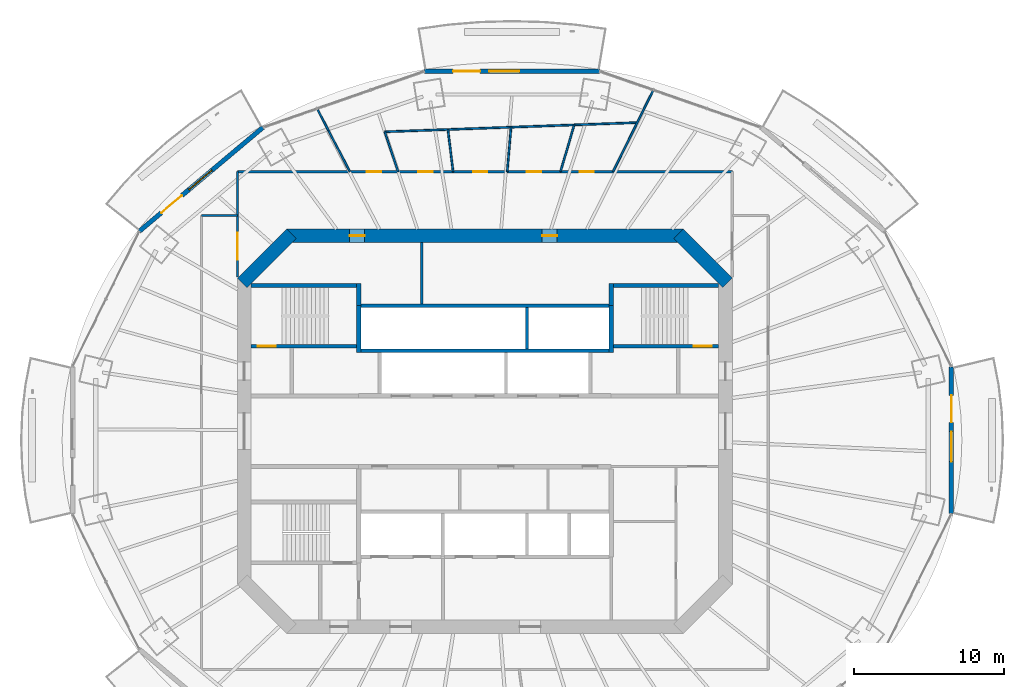
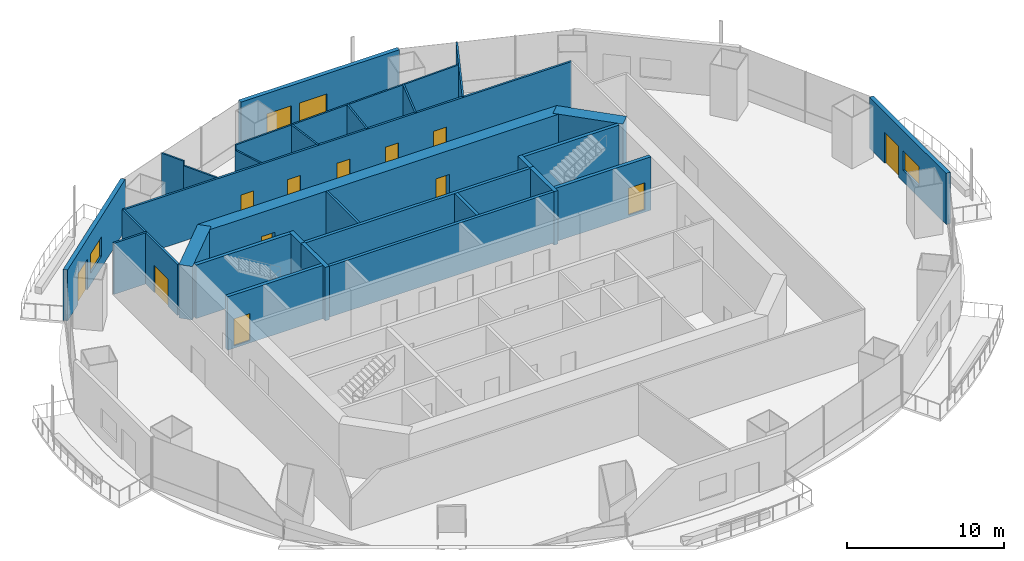
# One storey, part 12 of 19: 29 walls, 13 doors, 3 windows, 16 openings.
"""IFC4 building model written with IfcOpenShell, lengths in metres."""

from ifc_helpers import new_model, si_unit, direction, frame, frame_2d, origin, place, context, subcontext, project, spatial, rectangle, extrude, material, layer, layer_set, type_object, element, fill, save


model = new_model("IFC4")

# Units and contexts
model_context = context("Model", 3, precision=1e-05, world=origin(), true_north=direction((0.0, 1.0)))
body_context = subcontext(model_context, "Body", "Model", "MODEL_VIEW")
ifc_project = project(units=[si_unit("LENGTHUNIT", "METRE"), si_unit("AREAUNIT", "SQUARE_METRE"), si_unit("VOLUMEUNIT", "CUBIC_METRE"), si_unit("PLANEANGLEUNIT", "RADIAN"), si_unit("MASSUNIT", "GRAM", prefix="KILO")], contexts=[model_context])

# Site, building, storey
site_placement = place(None, origin())
site = spatial("IfcSite", under=ifc_project, at=site_placement, CompositionType="ELEMENT")
building_placement = place(site_placement, origin())
building = spatial("IfcBuilding", under=site, at=building_placement, Name="Marenthal Gate Tower", CompositionType="ELEMENT")
storey_placement = place(building_placement, frame((0.0, 0.0, 252.35009765625)))
storey = spatial("IfcBuildingStorey", under=building, at=storey_placement, Name="L56", CompositionType="ELEMENT", Elevation=252.35009765625)

# Wall
ifc_material_1 = material(Name="Concrete 60 MPa", Category="concrete")
ifc_layer_1 = layer(ifc_material_1, 0.89990234375)
ifc_layer_set_1 = layer_set([ifc_layer_1], Name="Core shear wall 900")
wall_type_1 = type_object("IfcWallType", Name="Core shear wall 900", PredefinedType="SHEAR", material=ifc_layer_set_1)
wall_1_placement = place(storey_placement, frame((16.1318359375, 9.8681640625, -0.18017578125), z_axis=(0.0, 0.0, 1.0), x_axis=(-0.707106781187, 0.707106781187, 0.0)))
element("IfcWall", 1, at=wall_1_placement, inside=storey, type_object=wall_type_1, Name="Core wall 03", PredefinedType="SHEAR", context=body_context, shape_type="SweptSolid", body=[
    extrude(rectangle(XDim=4.615478515625, YDim=0.89990234375, at=frame_2d((2.3076171875, 0.0))), origin(), (0.0, 0.0, 1.0), 4.150146484375),
])

# Wall, openings, doors
wall_2_placement = place(storey_placement, frame((13.186279296875, 13.0, -0.18017578125), z_axis=(0.0, 0.0, 1.0), x_axis=(-1.0, 0.0, 0.0)))
wall_2 = element("IfcWall", 2, at=wall_2_placement, inside=storey, type_object=wall_type_1, Name="Core wall 04", PredefinedType="SHEAR", context=body_context, shape_type="SweptSolid", body=[
    extrude(rectangle(XDim=26.37255859375, YDim=0.89990234375, at=frame_2d((13.186279296875, 0.0))), origin(), (0.0, 0.0, 1.0), 4.150146484375),
])
opening_1_placement = place(wall_2_placement, frame((21.193359375, 0.0, 0.179931640625)))
opening_1 = element("IfcOpeningElement", 3, at=opening_1_placement, cuts=wall_2, Name="Opening D005.04", PredefinedType="OPENING", context=body_context, shape_type="SweptSolid", body=[
    extrude(rectangle(XDim=1.0, YDim=2.10009765625, at=frame_2d((0.5, 1.050048828125))), frame((0.0, 0.4599609375, 0.0), z_axis=(0.0, -1.0, 0.0), x_axis=(1.0, 0.0, 0.0)), (0.0, 0.0, 1.0), 0.919921875),
])
opening_2_placement = place(wall_2_placement, frame((8.37939453125, 0.0, 0.179931640625)))
opening_2 = element("IfcOpeningElement", 4, at=opening_2_placement, cuts=wall_2, Name="Opening D005.05", PredefinedType="OPENING", context=body_context, shape_type="SweptSolid", body=[
    extrude(rectangle(XDim=1.0, YDim=2.10009765625, at=frame_2d((0.5, 1.050048828125))), frame((0.0, 0.4599609375, 0.0), z_axis=(0.0, -1.0, 0.0), x_axis=(1.0, 0.0, 0.0)), (0.0, 0.0, 1.0), 0.919921875),
])
ifc_material_2 = material(Name="Steel fire door", Category="steel")
door_type_1 = type_object("IfcDoorType", Name="Fire door FD 45 1000 x 2100", OperationType="NOTDEFINED", PredefinedType="DOOR", material=ifc_material_2)
door_1_placement = place(opening_1_placement, origin())
door_1 = element("IfcDoor", 5, at=door_1_placement, inside=storey, type_object=door_type_1, Name="Door D005.04", OperationType="SINGLE_SWING_RIGHT", OverallHeight=2.10009765625, OverallWidth=1.0, PredefinedType="DOOR", context=body_context, shape_type="SweptSolid", body=[
    extrude(rectangle(XDim=1.0, YDim=2.10009765625, at=frame_2d((0.5, 1.050048828125))), frame((0.0, 0.02490234375, 0.0), z_axis=(0.0, -1.0, 0.0), x_axis=(1.0, 0.0, 0.0)), (0.0, 0.0, 1.0), 0.050048828125),
])
fill(opening_1, door_1)
door_2_placement = place(opening_2_placement, origin())
door_2 = element("IfcDoor", 6, at=door_2_placement, inside=storey, type_object=door_type_1, Name="Door D005.05", OperationType="SINGLE_SWING_RIGHT", OverallHeight=2.10009765625, OverallWidth=1.0, PredefinedType="DOOR", context=body_context, shape_type="SweptSolid", body=[
    extrude(rectangle(XDim=1.0, YDim=2.10009765625, at=frame_2d((0.5, 1.050048828125))), frame((0.0, 0.02490234375, 0.0), z_axis=(0.0, -1.0, 0.0), x_axis=(1.0, 0.0, 0.0)), (0.0, 0.0, 1.0), 0.050048828125),
])
fill(opening_2, door_2)

# Walls
wall_3_placement = place(storey_placement, frame((-12.8681640625, 13.1318359375, -0.18017578125), z_axis=(0.0, 0.0, 1.0), x_axis=(-0.707106781187, -0.707106781187, 0.0)))
element("IfcWall", 7, at=wall_3_placement, inside=storey, type_object=wall_type_1, Name="Core wall 05", PredefinedType="SHEAR", context=body_context, shape_type="SweptSolid", body=[
    extrude(rectangle(XDim=4.615478515625, YDim=0.89990234375, at=frame_2d((2.3076171875, 0.0))), origin(), (0.0, 0.0, 1.0), 4.150146484375),
])
ifc_material_3 = material(Name="Concrete 50 MPa", Category="concrete")
ifc_layer_2 = layer(ifc_material_3, 0.300048828125)
ifc_layer_set_2 = layer_set([ifc_layer_2], Name="Hoistway shear wall 300")
wall_type_2 = type_object("IfcWallType", Name="Hoistway shear wall 300", PredefinedType="SHEAR", material=ifc_layer_set_2)
for number, where, z_axis, x_axis, name in (
    (8, (-8.39990234375, 5.239990234375, -0.18017578125), (0.0, 0.0, 1.0), (0.0, 1.0, 0.0), "Hoistway wall 31"),
    (9, (8.39990234375, 5.239990234375, -0.18017578125), (0.0, 0.0, 1.0), (0.0, 1.0, 0.0), "Hoistway wall 46"),
):
    element("IfcWall", number, at=place(storey_placement, frame(where, z_axis=z_axis, x_axis=x_axis)), inside=storey, type_object=wall_type_2, Name=name, PredefinedType="SHEAR", context=body_context, shape_type="SweptSolid", body=[
        extrude(rectangle(XDim=3.110107421875, YDim=0.300048828125, at=frame_2d((1.55517578125, 0.0))), origin(), (0.0, 0.0, 1.0), 4.150146484375),
    ])
ifc_material_4 = material(Name="Concrete 40 MPa", Category="concrete")
ifc_layer_3 = layer(ifc_material_4, 0.219970703125)
ifc_layer_set_3 = layer_set([ifc_layer_3], Name="Hoistway wall 220")
wall_type_3 = type_object("IfcWallType", Name="Hoistway wall 220", PredefinedType="STANDARD", material=ifc_layer_set_3)
for number, where, z_axis, x_axis, name in (
    (10, (-8.25, 5.35009765625, 0.0), (0.0, 0.0, 1.0), (1.0, 0.0, 0.0), "Hoistway wall 21"),
    (11, (-8.25, 8.35009765625, 0.0), (0.0, 0.0, 1.0), (1.0, 0.0, 0.0), "Hoistway wall 24"),
):
    element("IfcWall", number, at=place(storey_placement, frame(where, z_axis=z_axis, x_axis=x_axis)), inside=storey, type_object=wall_type_3, Name=name, PredefinedType="STANDARD", context=body_context, shape_type="SweptSolid", body=[
        extrude(rectangle(XDim=16.5, YDim=0.219970703125, at=frame_2d((8.25, 0.0))), origin(), (0.0, 0.0, 1.0), 3.969970703125),
    ])
wall_4_placement = place(storey_placement, frame((2.800048828125, 5.4599609375, 0.0), z_axis=(0.0, 0.0, 1.0), x_axis=(0.0, 1.0, 0.0)))
element("IfcWall", 12, at=wall_4_placement, inside=storey, type_object=wall_type_3, Name="Hoistway wall 40", PredefinedType="STANDARD", context=body_context, shape_type="SweptSolid", body=[
    extrude(rectangle(XDim=2.780029296875, YDim=0.219970703125, at=frame_2d((1.39013671875, 0.0))), origin(), (0.0, 0.0, 1.0), 3.969970703125),
])
ifc_material_5 = material(Name="Gypsum board on steel studs", Category="steel")
ifc_layer_4 = layer(ifc_material_5, 0.1201171875)
ifc_layer_set_4 = layer_set([ifc_layer_4], Name="Partition 120")
wall_type_4 = type_object("IfcWallType", Name="Partition 120", PredefinedType="PARTITIONING", material=ifc_layer_set_4)
wall_5_placement = place(storey_placement, frame((-8.983642578125, 17.267333984375, 0.0), z_axis=(0.0, 0.0, 1.0), x_axis=(-0.461490331018, 0.887145238604, 0.0)))
element("IfcWall", 13, at=wall_5_placement, inside=storey, type_object=wall_type_4, Name="Partition wall 54", PredefinedType="PARTITIONING", context=body_context, shape_type="SweptSolid", body=[
    extrude(rectangle(XDim=3.072509765625, YDim=0.1201171875, at=frame_2d((1.5361328125, 0.0))), origin(), (0.0, 0.0, 1.0), 3.616943359375),
])
wall_6_placement = place(storey_placement, frame((-10.401611328125, 19.9931640625, 0.0), z_axis=(0.0, 0.0, 1.0), x_axis=(-0.461524233579, 0.887127601769, 0.0)))
element("IfcWall", 14, at=wall_6_placement, inside=storey, type_object=wall_type_4, Name="Partition wall 66", PredefinedType="PARTITIONING", context=body_context, shape_type="SweptSolid", body=[
    extrude(rectangle(XDim=1.658447265625, YDim=0.1201171875, at=frame_2d((0.8291015625, 0.0))), origin(), (0.0, 0.0, 1.0), 3.969970703125),
])
wall_7_placement = place(storey_placement, frame((-6.659912109375, 19.917724609375, 0.0), z_axis=(0.0, 0.0, 1.0), x_axis=(0.317118703872, -0.948385853783, 0.0)))
element("IfcWall", 15, at=wall_7_placement, inside=storey, type_object=wall_type_4, Name="Partition wall 55", PredefinedType="PARTITIONING", context=body_context, shape_type="SweptSolid", body=[
    extrude(rectangle(XDim=2.794677734375, YDim=0.1201171875, at=frame_2d((1.3974609375, 0.0))), origin(), (0.0, 0.0, 1.0), 3.552978515625),
])
wall_8_placement = place(storey_placement, frame((-2.4619140625, 20.07080078125, 0.0), z_axis=(0.0, 0.0, 1.0), x_axis=(0.121704558914, -0.992566370748, 0.0)))
element("IfcWall", 16, at=wall_8_placement, inside=storey, type_object=wall_type_4, Name="Partition wall 56", PredefinedType="PARTITIONING", context=body_context, shape_type="SweptSolid", body=[
    extrude(rectangle(XDim=2.824462890625, YDim=0.1201171875, at=frame_2d((1.412109375, 0.0))), origin(), (0.0, 0.0, 1.0), 3.969970703125),
])
wall_9_placement = place(storey_placement, frame((1.73583984375, 20.223388671875, 0.0), z_axis=(0.0, 0.0, 1.0), x_axis=(-0.08549683198, -0.996338442359, 0.0)))
element("IfcWall", 17, at=wall_9_placement, inside=storey, type_object=wall_type_4, Name="Partition wall 57", PredefinedType="PARTITIONING", context=body_context, shape_type="SweptSolid", body=[
    extrude(rectangle(XDim=2.966796875, YDim=0.1201171875, at=frame_2d((1.4833984375, 0.0))), origin(), (0.0, 0.0, 1.0), 3.969970703125),
])
wall_10_placement = place(storey_placement, frame((5.933837890625, 20.376220703125, 0.0), z_axis=(0.0, 0.0, 1.0), x_axis=(-0.279577259278, -0.960123198394, 0.0)))
element("IfcWall", 18, at=wall_10_placement, inside=storey, type_object=wall_type_4, Name="Partition wall 59", PredefinedType="PARTITIONING", context=body_context, shape_type="SweptSolid", body=[
    extrude(rectangle(XDim=3.238037109375, YDim=0.1201171875, at=frame_2d((1.619140625, 0.0))), origin(), (0.0, 0.0, 1.0), 3.969970703125),
])
wall_11_placement = place(storey_placement, frame((8.52197265625, 17.267333984375, 0.0), z_axis=(0.0, 0.0, 1.0), x_axis=(0.442552062216, 0.896742812755, 0.0)))
element("IfcWall", 19, at=wall_11_placement, inside=storey, type_object=wall_type_4, Name="Partition wall 60", PredefinedType="PARTITIONING", context=body_context, shape_type="SweptSolid", body=[
    extrude(rectangle(XDim=6.062255859375, YDim=0.1201171875, at=frame_2d((3.03125, 0.0))), origin(), (0.0, 0.0, 1.0), 3.969970703125),
])
wall_12_placement = place(storey_placement, frame((10.131591796875, 20.529296875, 0.0), z_axis=(0.0, 0.0, 1.0), x_axis=(-0.999337395221, -0.036397397061, 0.0)))
element("IfcWall", 20, at=wall_12_placement, inside=storey, type_object=wall_type_4, Name="Partition wall 61", PredefinedType="PARTITIONING", context=body_context, shape_type="SweptSolid", body=[
    extrude(rectangle(XDim=16.802734375, YDim=0.1201171875, at=frame_2d((8.4013671875, 0.0))), origin(), (0.0, 0.0, 1.0), 3.969970703125),
])
ifc_material_6 = material(Name="Gypsum board on steel studs", Category="steel")
ifc_layer_5 = layer(ifc_material_6, 0.14990234375)
ifc_layer_set_5 = layer_set([ifc_layer_5], Name="Partition 150")
wall_type_5 = type_object("IfcWallType", Name="Partition 150", PredefinedType="PARTITIONING", material=ifc_layer_set_5)
wall_13_placement = place(storey_placement, frame((-4.199951171875, 8.4599609375, 0.0), z_axis=(0.0, 0.0, 1.0), x_axis=(0.0, 1.0, 0.0)))
element("IfcWall", 21, at=wall_13_placement, inside=storey, type_object=wall_type_5, Name="Partition wall 34", PredefinedType="PARTITIONING", context=body_context, shape_type="SweptSolid", body=[
    extrude(rectangle(XDim=4.090087890625, YDim=0.14990234375, at=frame_2d((2.044921875, 0.0))), origin(), (0.0, 0.0, 1.0), 3.969970703125),
])
wall_14_placement = place(storey_placement, frame((-18.85009765625, 14.357177734375, 0.0), z_axis=(0.0, 0.0, 1.0), x_axis=(1.0, 0.0, 0.0)))
element("IfcWall", 22, at=wall_14_placement, inside=storey, type_object=wall_type_5, Name="Partition wall 51", PredefinedType="PARTITIONING", context=body_context, shape_type="SweptSolid", body=[
    extrude(rectangle(XDim=2.400146484375, YDim=0.14990234375, at=frame_2d((1.2001953125, 0.0))), origin(), (0.0, 0.0, 1.0), 3.969970703125),
])

# Wall, opening, door
wall_15_placement = place(storey_placement, frame((-16.449951171875, 10.25, 0.0), z_axis=(0.0, 0.0, 1.0), x_axis=(0.0, 1.0, 0.0)))
wall_15 = element("IfcWall", 23, at=wall_15_placement, inside=storey, type_object=wall_type_5, Name="Partition wall 52", PredefinedType="PARTITIONING", context=body_context, shape_type="SweptSolid", body=[
    extrude(rectangle(XDim=7.017333984375, YDim=0.14990234375, at=frame_2d((3.5087890625, 0.0))), origin(), (0.0, 0.0, 1.0), 3.969970703125),
])
opening_3_placement = place(wall_15_placement, frame((1.153076171875, 0.0, 0.0)))
opening_3 = element("IfcOpeningElement", 24, at=opening_3_placement, cuts=wall_15, Name="Opening D014.03", PredefinedType="OPENING", context=body_context, shape_type="SweptSolid", body=[
    extrude(rectangle(XDim=1.800048828125, YDim=2.10009765625, at=frame_2d((0.89990234375, 1.050048828125))), frame((0.0, 0.0849609375, 0.0), z_axis=(0.0, -1.0, 0.0), x_axis=(1.0, 0.0, 0.0)), (0.0, 0.0, 1.0), 0.169921875),
])
ifc_material_7 = material(Name="Timber door", Category="wood")
door_type_2 = type_object("IfcDoorType", Name="Double door 1800 x 2100", OperationType="DOUBLE_DOOR_SINGLE_SWING", PredefinedType="DOOR", material=ifc_material_7)
door_3_placement = place(opening_3_placement, origin())
door_3 = element("IfcDoor", 25, at=door_3_placement, inside=storey, type_object=door_type_2, Name="Door D014.03", OperationType="DOUBLE_DOOR_SINGLE_SWING", OverallHeight=2.10009765625, OverallWidth=1.800048828125, PredefinedType="DOOR", context=body_context, shape_type="SweptSolid", body=[
    extrude(rectangle(XDim=1.800048828125, YDim=2.10009765625, at=frame_2d((0.89990234375, 1.050048828125))), frame((0.0, 0.02490234375, 0.0), z_axis=(0.0, -1.0, 0.0), x_axis=(1.0, 0.0, 0.0)), (0.0, 0.0, 1.0), 0.050048828125),
])
fill(opening_3, door_3)

# Wall, openings, doors
wall_16_placement = place(storey_placement, frame((-16.449951171875, 17.267333984375, 0.0), z_axis=(0.0, 0.0, 1.0), x_axis=(1.0, 0.0, 0.0)))
wall_16 = element("IfcWall", 26, at=wall_16_placement, inside=storey, type_object=wall_type_5, Name="Partition wall 53", PredefinedType="PARTITIONING", context=body_context, shape_type="SweptSolid", body=[
    extrude(rectangle(XDim=32.89990234375, YDim=0.14990234375, at=frame_2d((16.449951171875, 0.0))), origin(), (0.0, 0.0, 1.0), 3.969970703125),
])
opening_4_placement = place(wall_16_placement, frame((22.75, 0.0, 0.0)))
opening_4 = element("IfcOpeningElement", 27, at=opening_4_placement, cuts=wall_16, Name="Opening D016.01", PredefinedType="OPENING", context=body_context, shape_type="SweptSolid", body=[
    extrude(rectangle(XDim=0.949951171875, YDim=2.10009765625, at=frame_2d((0.47509765625, 1.050048828125))), frame((0.0, 0.0849609375, 0.0), z_axis=(0.0, -1.0, 0.0), x_axis=(1.0, 0.0, 0.0)), (0.0, 0.0, 1.0), 0.169921875),
])
opening_5_placement = place(wall_16_placement, frame((19.22998046875, 0.0, 0.0)))
opening_5 = element("IfcOpeningElement", 28, at=opening_5_placement, cuts=wall_16, Name="Opening D016.02", PredefinedType="OPENING", context=body_context, shape_type="SweptSolid", body=[
    extrude(rectangle(XDim=0.949951171875, YDim=2.10009765625, at=frame_2d((0.47509765625, 1.050048828125))), frame((0.0, 0.0849609375, 0.0), z_axis=(0.0, -1.0, 0.0), x_axis=(1.0, 0.0, 0.0)), (0.0, 0.0, 1.0), 0.169921875),
])
opening_6_placement = place(wall_16_placement, frame((15.656982421875, 0.0, 0.0)))
opening_6 = element("IfcOpeningElement", 29, at=opening_6_placement, cuts=wall_16, Name="Opening D016.03", PredefinedType="OPENING", context=body_context, shape_type="SweptSolid", body=[
    extrude(rectangle(XDim=0.949951171875, YDim=2.10009765625, at=frame_2d((0.47509765625, 1.050048828125))), frame((0.0, 0.0849609375, 0.0), z_axis=(0.0, -1.0, 0.0), x_axis=(1.0, 0.0, 0.0)), (0.0, 0.0, 1.0), 0.169921875),
])
opening_7_placement = place(wall_16_placement, frame((12.029052734375, 0.0, 0.0)))
opening_7 = element("IfcOpeningElement", 30, at=opening_7_placement, cuts=wall_16, Name="Opening D016.04", PredefinedType="OPENING", context=body_context, shape_type="SweptSolid", body=[
    extrude(rectangle(XDim=0.949951171875, YDim=2.10009765625, at=frame_2d((0.47509765625, 1.050048828125))), frame((0.0, 0.0849609375, 0.0), z_axis=(0.0, -1.0, 0.0), x_axis=(1.0, 0.0, 0.0)), (0.0, 0.0, 1.0), 0.169921875),
])
opening_8_placement = place(wall_16_placement, frame((8.595947265625, 0.0, 0.0)))
opening_8 = element("IfcOpeningElement", 31, at=opening_8_placement, cuts=wall_16, Name="Opening D016.05", PredefinedType="OPENING", context=body_context, shape_type="SweptSolid", body=[
    extrude(rectangle(XDim=0.949951171875, YDim=2.10009765625, at=frame_2d((0.47509765625, 1.050048828125))), frame((0.0, 0.0849609375, 0.0), z_axis=(0.0, -1.0, 0.0), x_axis=(1.0, 0.0, 0.0)), (0.0, 0.0, 1.0), 0.169921875),
])
ifc_material_8 = material(Name="Timber door", Category="wood")
door_type_3 = type_object("IfcDoorType", Name="Door 950 x 2100", OperationType="NOTDEFINED", PredefinedType="DOOR", material=ifc_material_8)
door_4_placement = place(opening_4_placement, origin())
door_4 = element("IfcDoor", 32, at=door_4_placement, inside=storey, type_object=door_type_3, Name="Door D016.01", OperationType="SINGLE_SWING_RIGHT", OverallHeight=2.10009765625, OverallWidth=0.949951171875, PredefinedType="DOOR", context=body_context, shape_type="SweptSolid", body=[
    extrude(rectangle(XDim=0.949951171875, YDim=2.10009765625, at=frame_2d((0.47509765625, 1.050048828125))), frame((0.0, 0.02490234375, 0.0), z_axis=(0.0, -1.0, 0.0), x_axis=(1.0, 0.0, 0.0)), (0.0, 0.0, 1.0), 0.050048828125),
])
fill(opening_4, door_4)
door_5_placement = place(opening_5_placement, origin())
door_5 = element("IfcDoor", 33, at=door_5_placement, inside=storey, type_object=door_type_3, Name="Door D016.02", OperationType="SINGLE_SWING_RIGHT", OverallHeight=2.10009765625, OverallWidth=0.949951171875, PredefinedType="DOOR", context=body_context, shape_type="SweptSolid", body=[
    extrude(rectangle(XDim=0.949951171875, YDim=2.10009765625, at=frame_2d((0.47509765625, 1.050048828125))), frame((0.0, 0.02490234375, 0.0), z_axis=(0.0, -1.0, 0.0), x_axis=(1.0, 0.0, 0.0)), (0.0, 0.0, 1.0), 0.050048828125),
])
fill(opening_5, door_5)
door_6_placement = place(opening_6_placement, origin())
door_6 = element("IfcDoor", 34, at=door_6_placement, inside=storey, type_object=door_type_3, Name="Door D016.03", OperationType="SINGLE_SWING_RIGHT", OverallHeight=2.10009765625, OverallWidth=0.949951171875, PredefinedType="DOOR", context=body_context, shape_type="SweptSolid", body=[
    extrude(rectangle(XDim=0.949951171875, YDim=2.10009765625, at=frame_2d((0.47509765625, 1.050048828125))), frame((0.0, 0.02490234375, 0.0), z_axis=(0.0, -1.0, 0.0), x_axis=(1.0, 0.0, 0.0)), (0.0, 0.0, 1.0), 0.050048828125),
])
fill(opening_6, door_6)
door_7_placement = place(opening_7_placement, origin())
door_7 = element("IfcDoor", 35, at=door_7_placement, inside=storey, type_object=door_type_3, Name="Door D016.04", OperationType="SINGLE_SWING_RIGHT", OverallHeight=2.10009765625, OverallWidth=0.949951171875, PredefinedType="DOOR", context=body_context, shape_type="SweptSolid", body=[
    extrude(rectangle(XDim=0.949951171875, YDim=2.10009765625, at=frame_2d((0.47509765625, 1.050048828125))), frame((0.0, 0.02490234375, 0.0), z_axis=(0.0, -1.0, 0.0), x_axis=(1.0, 0.0, 0.0)), (0.0, 0.0, 1.0), 0.050048828125),
])
fill(opening_7, door_7)
door_8_placement = place(opening_8_placement, origin())
door_8 = element("IfcDoor", 36, at=door_8_placement, inside=storey, type_object=door_type_3, Name="Door D016.05", OperationType="SINGLE_SWING_RIGHT", OverallHeight=2.10009765625, OverallWidth=0.949951171875, PredefinedType="DOOR", context=body_context, shape_type="SweptSolid", body=[
    extrude(rectangle(XDim=0.949951171875, YDim=2.10009765625, at=frame_2d((0.47509765625, 1.050048828125))), frame((0.0, 0.02490234375, 0.0), z_axis=(0.0, -1.0, 0.0), x_axis=(1.0, 0.0, 0.0)), (0.0, 0.0, 1.0), 0.050048828125),
])
fill(opening_8, door_8)

# Wall, opening, door
ifc_material_9 = material(Name="Concrete 50 MPa", Category="concrete")
ifc_layer_6 = layer(ifc_material_9, 0.25)
ifc_layer_set_6 = layer_set([ifc_layer_6], Name="Stair shear wall 250")
wall_type_6 = type_object("IfcWallType", Name="Stair shear wall 250", PredefinedType="SHEAR", material=ifc_layer_set_6)
wall_17_placement = place(storey_placement, frame((-15.550048828125, 5.64990234375, -0.18017578125), z_axis=(0.0, 0.0, 1.0), x_axis=(1.0, 0.0, 0.0)))
wall_17 = element("IfcWall", 37, at=wall_17_placement, inside=storey, type_object=wall_type_6, Name="Stair wall 22", PredefinedType="SHEAR", context=body_context, shape_type="SweptSolid", body=[
    extrude(rectangle(XDim=7.0, YDim=0.25, at=frame_2d((3.5, 0.0))), origin(), (0.0, 0.0, 1.0), 4.150146484375),
])
opening_9_placement = place(wall_17_placement, frame((0.449951171875, 0.0, 0.179931640625)))
opening_9 = element("IfcOpeningElement", 38, at=opening_9_placement, cuts=wall_17, Name="Opening D001.01", PredefinedType="OPENING", context=body_context, shape_type="SweptSolid", body=[
    extrude(rectangle(XDim=1.199951171875, YDim=2.10009765625, at=frame_2d((0.60009765625, 1.050048828125))), frame((0.0, 0.135009765625, 0.0), z_axis=(0.0, -1.0, 0.0), x_axis=(1.0, 0.0, 0.0)), (0.0, 0.0, 1.0), 0.27001953125),
])
ifc_material_10 = material(Name="Steel fire door", Category="steel")
door_type_4 = type_object("IfcDoorType", Name="Fire door FD 90 1200 x 2100", OperationType="NOTDEFINED", PredefinedType="DOOR", material=ifc_material_10)
door_9_placement = place(opening_9_placement, origin())
door_9 = element("IfcDoor", 39, at=door_9_placement, inside=storey, type_object=door_type_4, Name="Door D001.01", OperationType="SINGLE_SWING_RIGHT", OverallHeight=2.10009765625, OverallWidth=1.199951171875, PredefinedType="DOOR", context=body_context, shape_type="SweptSolid", body=[
    extrude(rectangle(XDim=1.199951171875, YDim=2.10009765625, at=frame_2d((0.60009765625, 1.050048828125))), frame((0.0, 0.02490234375, 0.0), z_axis=(0.0, -1.0, 0.0), x_axis=(1.0, 0.0, 0.0)), (0.0, 0.0, 1.0), 0.050048828125),
])
fill(opening_9, door_9)

wall_18_placement = place(storey_placement, frame((8.550048828125, 5.64990234375, -0.18017578125), z_axis=(0.0, 0.0, 1.0), x_axis=(1.0, 0.0, 0.0)))
wall_18 = element("IfcWall", 40, at=wall_18_placement, inside=storey, type_object=wall_type_6, Name="Stair wall 23", PredefinedType="SHEAR", context=body_context, shape_type="SweptSolid", body=[
    extrude(rectangle(XDim=7.0, YDim=0.25, at=frame_2d((3.5, 0.0))), origin(), (0.0, 0.0, 1.0), 4.150146484375),
])
opening_10_placement = place(wall_18_placement, frame((5.35009765625, 0.0, 0.179931640625)))
opening_10 = element("IfcOpeningElement", 41, at=opening_10_placement, cuts=wall_18, Name="Opening D001.02", PredefinedType="OPENING", context=body_context, shape_type="SweptSolid", body=[
    extrude(rectangle(XDim=1.199951171875, YDim=2.10009765625, at=frame_2d((0.60009765625, 1.050048828125))), frame((0.0, 0.135009765625, 0.0), z_axis=(0.0, -1.0, 0.0), x_axis=(1.0, 0.0, 0.0)), (0.0, 0.0, 1.0), 0.27001953125),
])
door_10_placement = place(opening_10_placement, origin())
door_10 = element("IfcDoor", 42, at=door_10_placement, inside=storey, type_object=door_type_4, Name="Door D001.02", OperationType="SINGLE_SWING_RIGHT", OverallHeight=2.10009765625, OverallWidth=1.199951171875, PredefinedType="DOOR", context=body_context, shape_type="SweptSolid", body=[
    extrude(rectangle(XDim=1.199951171875, YDim=2.10009765625, at=frame_2d((0.60009765625, 1.050048828125))), frame((0.0, 0.02490234375, 0.0), z_axis=(0.0, -1.0, 0.0), x_axis=(1.0, 0.0, 0.0)), (0.0, 0.0, 1.0), 0.050048828125),
])
fill(opening_10, door_10)

# Walls
for number, where, z_axis, x_axis, name in (
    (43, (-15.550048828125, 9.699951171875, -0.18017578125), (0.0, 0.0, 1.0), (1.0, 0.0, 0.0), "Stair wall 25"),
    (44, (8.550048828125, 9.699951171875, -0.18017578125), (0.0, 0.0, 1.0), (1.0, 0.0, 0.0), "Stair wall 26"),
):
    element("IfcWall", number, at=place(storey_placement, frame(where, z_axis=z_axis, x_axis=x_axis)), inside=storey, type_object=wall_type_6, Name=name, PredefinedType="SHEAR", context=body_context, shape_type="SweptSolid", body=[
        extrude(rectangle(XDim=7.0, YDim=0.25, at=frame_2d((3.5, 0.0))), origin(), (0.0, 0.0, 1.0), 4.150146484375),
    ])
ifc_material_11 = material(Name="Concrete 50 MPa", Category="concrete")
ifc_layer_7 = layer(ifc_material_11, 0.300048828125)
ifc_layer_set_7 = layer_set([ifc_layer_7], Name="Stair shear wall 300")
wall_type_7 = type_object("IfcWallType", Name="Stair shear wall 300", PredefinedType="SHEAR", material=ifc_layer_set_7)
for number, where, z_axis, x_axis, name in (
    (45, (-8.39990234375, 8.35009765625, -0.18017578125), (0.0, 0.0, 1.0), (0.0, 1.0, 0.0), "Stair wall 32"),
    (46, (8.39990234375, 8.35009765625, -0.18017578125), (0.0, 0.0, 1.0), (0.0, 1.0, 0.0), "Stair wall 47"),
):
    element("IfcWall", number, at=place(storey_placement, frame(where, z_axis=z_axis, x_axis=x_axis)), inside=storey, type_object=wall_type_7, Name=name, PredefinedType="SHEAR", context=body_context, shape_type="SweptSolid", body=[
        extrude(rectangle(XDim=1.474853515625, YDim=0.300048828125, at=frame_2d((0.7373046875, 0.0))), origin(), (0.0, 0.0, 1.0), 4.150146484375),
    ])

# Wall, openings, door, window
ifc_material_12 = material(Name="Terracotta cladding on insulated concrete-block backing", Category="masonry")
ifc_layer_8 = layer(ifc_material_12, 0.300048828125)
ifc_layer_set_8 = layer_set([ifc_layer_8], Name="Terracotta facade wall 300")
wall_type_8 = type_object("IfcWallType", Name="Terracotta facade wall 300", PredefinedType="SOLIDWALL", material=ifc_layer_set_8)
wall_19_placement = place(storey_placement, frame((7.6142578125, 23.952880859375, 0.0), z_axis=(0.0, 0.0, 1.0), x_axis=(-1.0, 0.0, 0.0)))
wall_19 = element("IfcWall", 47, at=wall_19_placement, inside=storey, type_object=wall_type_8, Name="Terracotta facade wall L56 bay 4", PredefinedType="SOLIDWALL", context=body_context, shape_type="SweptSolid", body=[
    extrude(rectangle(XDim=11.628662109375, YDim=0.300048828125, at=frame_2d((5.814453125, 0.0))), origin(), (0.0, 0.0, 1.0), 3.969970703125),
])
opening_11_placement = place(wall_19_placement, frame((7.9287109375, 0.0, 0.0)))
opening_11 = element("IfcOpeningElement", 48, at=opening_11_placement, cuts=wall_19, Name="Opening BD-L56-04", PredefinedType="OPENING", context=body_context, shape_type="SweptSolid", body=[
    extrude(rectangle(XDim=1.800048828125, YDim=2.39990234375, at=frame_2d((0.89990234375, 1.199951171875))), frame((0.0, 0.16015625, 0.0), z_axis=(0.0, -1.0, 0.0), x_axis=(1.0, 0.0, 0.0)), (0.0, 0.0, 1.0), 0.320068359375),
])
opening_12_placement = place(wall_19_placement, frame((5.32861328125, 0.0, 0.89990234375)))
opening_12 = element("IfcOpeningElement", 49, at=opening_12_placement, cuts=wall_19, Name="Opening WN2-L56-04", PredefinedType="OPENING", context=body_context, shape_type="SweptSolid", body=[
    extrude(rectangle(XDim=2.0, YDim=1.5, at=frame_2d((1.0, 0.75))), frame((0.0, 0.16015625, 0.0), z_axis=(0.0, -1.0, 0.0), x_axis=(1.0, 0.0, 0.0)), (0.0, 0.0, 1.0), 0.320068359375),
])
ifc_material_13 = material(Name="Aluminium and glass", Category="aluminium")
door_type_5 = type_object("IfcDoorType", Name="Balcony door 1800x2400", OperationType="DOUBLE_DOOR_SINGLE_SWING", PredefinedType="DOOR", material=ifc_material_13)
door_11_placement = place(opening_11_placement, origin())
door_11 = element("IfcDoor", 50, at=door_11_placement, inside=storey, type_object=door_type_5, Name="Balcony door L56 bay 4", OperationType="SINGLE_SWING_LEFT", OverallHeight=2.39990234375, OverallWidth=1.800048828125, PredefinedType="DOOR", context=body_context, shape_type="SweptSolid", body=[
    extrude(rectangle(XDim=1.800048828125, YDim=2.39990234375, at=frame_2d((0.89990234375, 1.199951171875))), frame((0.0, 0.02490234375, 0.0), z_axis=(0.0, -1.0, 0.0), x_axis=(1.0, 0.0, 0.0)), (0.0, 0.0, 1.0), 0.050048828125),
])
fill(opening_11, door_11)
ifc_material_14 = material(Name="Aluminium and glass", Category="aluminium")
window_type = type_object("IfcWindowType", Name="Window 2000x1500", PartitioningType="DOUBLE_PANEL_VERTICAL", PredefinedType="WINDOW", material=ifc_material_14)
window_1_placement = place(opening_12_placement, origin())
window_1 = element("IfcWindow", 51, at=window_1_placement, inside=storey, type_object=window_type, Name="Window L56 bay 4", OverallHeight=1.5, OverallWidth=2.0, PartitioningType="SINGLE_PANEL", PredefinedType="WINDOW", context=body_context, shape_type="SweptSolid", body=[
    extrude(rectangle(XDim=2.0, YDim=1.5, at=frame_2d((1.0, 0.75))), frame((0.0, 0.030029296875, 0.0), z_axis=(0.0, -1.0, 0.0), x_axis=(1.0, 0.0, 0.0)), (0.0, 0.0, 1.0), 0.06005859375),
])
fill(opening_12, window_1)

wall_20_placement = place(storey_placement, frame((-14.7578125, 20.215087890625, 0.0), z_axis=(0.0, 0.0, 1.0), x_axis=(-0.765697698686, -0.643200617403, 0.0)))
wall_20 = element("IfcWall", 52, at=wall_20_placement, inside=storey, type_object=wall_type_8, Name="Terracotta facade wall L56 bay 6", PredefinedType="SOLIDWALL", context=body_context, shape_type="SweptSolid", body=[
    extrude(rectangle(XDim=10.738525390625, YDim=0.300048828125, at=frame_2d((5.369140625, 0.0))), origin(), (0.0, 0.0, 1.0), 3.969970703125),
])
opening_13_placement = place(wall_20_placement, frame((7.03857421875, 0.0, 0.0)))
opening_13 = element("IfcOpeningElement", 53, at=opening_13_placement, cuts=wall_20, Name="Opening BD-L56-06", PredefinedType="OPENING", context=body_context, shape_type="SweptSolid", body=[
    extrude(rectangle(XDim=1.800048828125, YDim=2.39990234375, at=frame_2d((0.89990234375, 1.199951171875))), frame((0.0, 0.16015625, 0.0), z_axis=(0.0, -1.0, 0.0), x_axis=(1.0, 0.0, 0.0)), (0.0, 0.0, 1.0), 0.320068359375),
])
opening_14_placement = place(wall_20_placement, frame((4.4384765625, 0.0, 0.89990234375)))
opening_14 = element("IfcOpeningElement", 54, at=opening_14_placement, cuts=wall_20, Name="Opening WN2-L56-06", PredefinedType="OPENING", context=body_context, shape_type="SweptSolid", body=[
    extrude(rectangle(XDim=2.0, YDim=1.5, at=frame_2d((1.0, 0.75))), frame((0.0, 0.16015625, 0.0), z_axis=(0.0, -1.0, 0.0), x_axis=(1.0, 0.0, 0.0)), (0.0, 0.0, 1.0), 0.320068359375),
])
door_12_placement = place(opening_13_placement, origin())
door_12 = element("IfcDoor", 55, at=door_12_placement, inside=storey, type_object=door_type_5, Name="Balcony door L56 bay 6", OperationType="SINGLE_SWING_LEFT", OverallHeight=2.39990234375, OverallWidth=1.800048828125, PredefinedType="DOOR", context=body_context, shape_type="SweptSolid", body=[
    extrude(rectangle(XDim=1.800048828125, YDim=2.39990234375, at=frame_2d((0.89990234375, 1.199951171875))), frame((0.0, 0.02490234375, 0.0), z_axis=(0.0, -1.0, 0.0), x_axis=(1.0, 0.0, 0.0)), (0.0, 0.0, 1.0), 0.050048828125),
])
fill(opening_13, door_12)
window_2_placement = place(opening_14_placement, origin())
window_2 = element("IfcWindow", 56, at=window_2_placement, inside=storey, type_object=window_type, Name="Window L56 bay 6", OverallHeight=1.5, OverallWidth=2.0, PartitioningType="SINGLE_PANEL", PredefinedType="WINDOW", context=body_context, shape_type="SweptSolid", body=[
    extrude(rectangle(XDim=2.0, YDim=1.5, at=frame_2d((1.0, 0.75))), frame((0.0, 0.030029296875, 0.0), z_axis=(0.0, -1.0, 0.0), x_axis=(1.0, 0.0, 0.0)), (0.0, 0.0, 1.0), 0.06005859375),
])
fill(opening_14, window_2)

wall_21_placement = place(storey_placement, frame((31.0302734375, -5.48388671875, 0.0), z_axis=(0.0, 0.0, 1.0), x_axis=(0.0, 1.0, 0.0)))
wall_21 = element("IfcWall", 57, at=wall_21_placement, inside=storey, type_object=wall_type_8, Name="Terracotta facade wall L56 bay 16", PredefinedType="SOLIDWALL", context=body_context, shape_type="SweptSolid", body=[
    extrude(rectangle(XDim=9.767822265625, YDim=0.300048828125, at=frame_2d((4.8837890625, 0.0))), origin(), (0.0, 0.0, 1.0), 3.969970703125),
])
opening_15_placement = place(wall_21_placement, frame((6.06787109375, 0.0, 0.0)))
opening_15 = element("IfcOpeningElement", 58, at=opening_15_placement, cuts=wall_21, Name="Opening BD-L56-16", PredefinedType="OPENING", context=body_context, shape_type="SweptSolid", body=[
    extrude(rectangle(XDim=1.800048828125, YDim=2.39990234375, at=frame_2d((0.89990234375, 1.199951171875))), frame((0.0, 0.16015625, 0.0), z_axis=(0.0, -1.0, 0.0), x_axis=(1.0, 0.0, 0.0)), (0.0, 0.0, 1.0), 0.320068359375),
])
opening_16_placement = place(wall_21_placement, frame((3.4677734375, 0.0, 0.89990234375)))
opening_16 = element("IfcOpeningElement", 59, at=opening_16_placement, cuts=wall_21, Name="Opening WN2-L56-16", PredefinedType="OPENING", context=body_context, shape_type="SweptSolid", body=[
    extrude(rectangle(XDim=2.0, YDim=1.5, at=frame_2d((1.0, 0.75))), frame((0.0, 0.16015625, 0.0), z_axis=(0.0, -1.0, 0.0), x_axis=(1.0, 0.0, 0.0)), (0.0, 0.0, 1.0), 0.320068359375),
])
door_13_placement = place(opening_15_placement, origin())
door_13 = element("IfcDoor", 60, at=door_13_placement, inside=storey, type_object=door_type_5, Name="Balcony door L56 bay 16", OperationType="SINGLE_SWING_LEFT", OverallHeight=2.39990234375, OverallWidth=1.800048828125, PredefinedType="DOOR", context=body_context, shape_type="SweptSolid", body=[
    extrude(rectangle(XDim=1.800048828125, YDim=2.39990234375, at=frame_2d((0.89990234375, 1.199951171875))), frame((0.0, 0.02490234375, 0.0), z_axis=(0.0, -1.0, 0.0), x_axis=(1.0, 0.0, 0.0)), (0.0, 0.0, 1.0), 0.050048828125),
])
fill(opening_15, door_13)
window_3_placement = place(opening_16_placement, origin())
window_3 = element("IfcWindow", 61, at=window_3_placement, inside=storey, type_object=window_type, Name="Window L56 bay 16", OverallHeight=1.5, OverallWidth=2.0, PartitioningType="SINGLE_PANEL", PredefinedType="WINDOW", context=body_context, shape_type="SweptSolid", body=[
    extrude(rectangle(XDim=2.0, YDim=1.5, at=frame_2d((1.0, 0.75))), frame((0.0, 0.030029296875, 0.0), z_axis=(0.0, -1.0, 0.0), x_axis=(1.0, 0.0, 0.0)), (0.0, 0.0, 1.0), 0.06005859375),
])
fill(opening_16, window_3)

save(model, "model.ifc")
